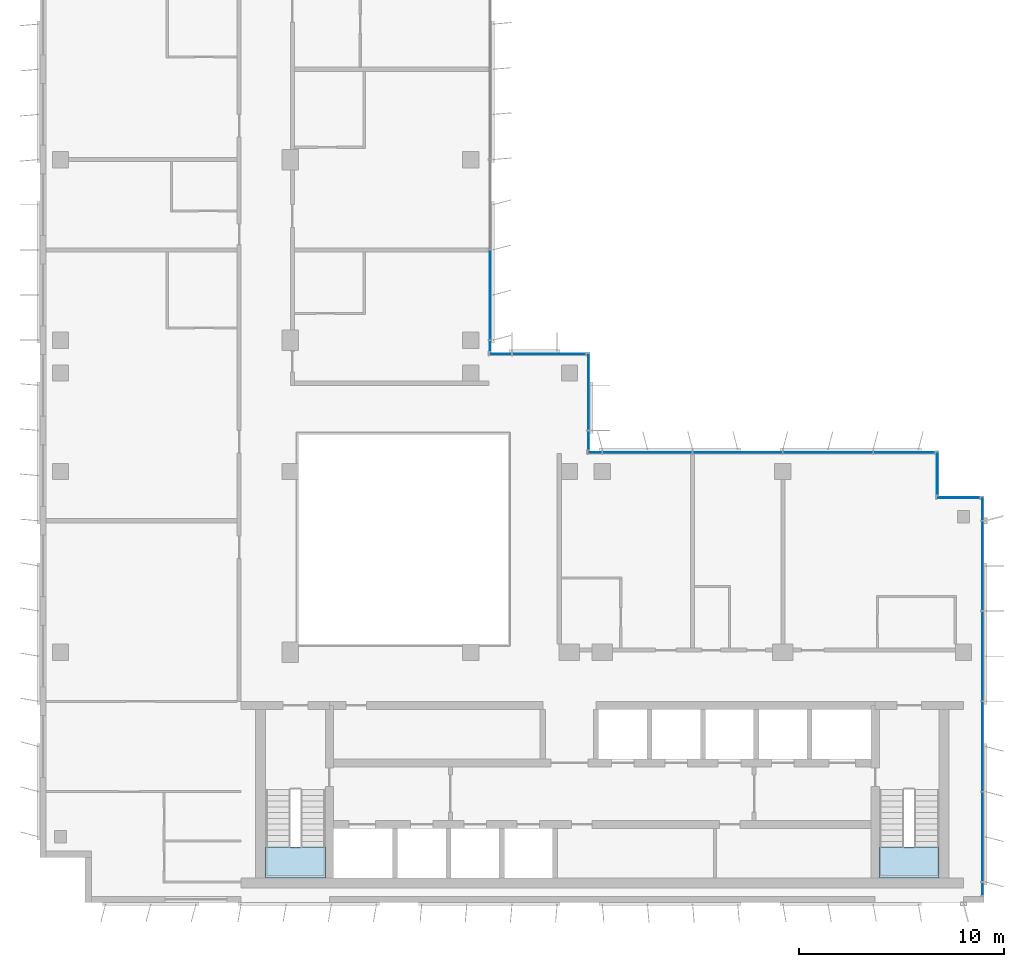
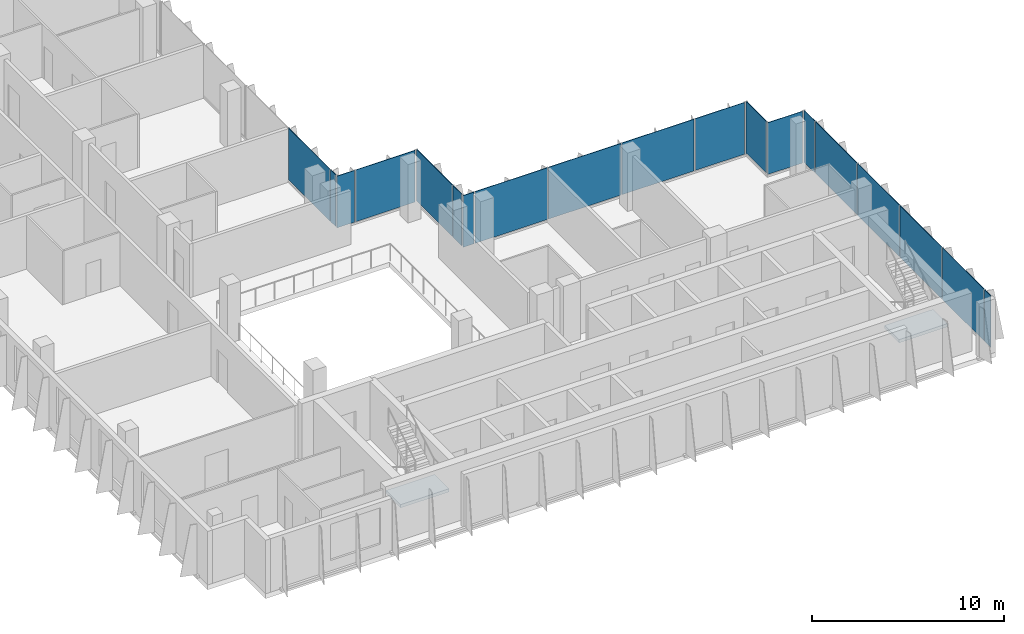
# One storey, part 7 of 15: 19 plates, 2 slabs, 9 elements without a shape of their own.
"""IFC4 building model written with IfcOpenShell, lengths in metres."""

from ifc_helpers import new_model, si_unit, direction, frame, origin, origin_2d, place, context, subcontext, project, spatial, polyline, rectangle, outline, extrude, source, transform, mapped, material, layer, layer_set, type_object, element, aggregate, save


model = new_model("IFC4")

# Units and contexts
model_context = context("Model", 3, precision=1e-05, world=origin(), true_north=direction((0.0, 1.0)))
body_context = subcontext(model_context, "Body", "Model", "MODEL_VIEW")
ifc_project = project(units=[si_unit("LENGTHUNIT", "METRE"), si_unit("AREAUNIT", "SQUARE_METRE"), si_unit("VOLUMEUNIT", "CUBIC_METRE"), si_unit("PLANEANGLEUNIT", "RADIAN"), si_unit("MASSUNIT", "GRAM", prefix="KILO")], contexts=[model_context])

# Site, building, storey
site_placement = place(None, origin())
site = spatial("IfcSite", under=ifc_project, at=site_placement, CompositionType="ELEMENT")
building_placement = place(site_placement, origin())
building = spatial("IfcBuilding", under=site, at=building_placement, Name="Kemantara Hotel Tower", CompositionType="ELEMENT")
storey_placement = place(building_placement, frame((0.0, 0.0, 261.10009765625)))
storey = spatial("IfcBuildingStorey", under=building, at=storey_placement, Name="L65", CompositionType="ELEMENT", Elevation=261.10009765625)

# Stair, slab
ifc_material_1 = material(Name="Concrete fc 40 MPa", Category="concrete")
stair_type = type_object("IfcStairType", Name="Stair 1200 wide 22 risers of 168 x 280 mm", PredefinedType="HALF_TURN_STAIR", material=ifc_material_1)
stair_1_placement = place(storey_placement, origin())
stair_1 = element("IfcStair", 1, at=stair_1_placement, inside=storey, type_object=stair_type, Name="L65 Exit stair ST1", PredefinedType="HALF_TURN_STAIR")
ifc_layer_1 = layer(ifc_material_1, 0.199951171875)
ifc_layer_set_1 = layer_set([ifc_layer_1], Name="Concrete fc 40 MPa")
slab_type = type_object("IfcSlabType", Name="Stair landing 200 mm", PredefinedType="LANDING", material=ifc_layer_set_1)
slab_1_placement = place(storey_placement, frame((0.0, 0.0, 1.64990234375)))
slab_1 = element("IfcSlab", 2, at=slab_1_placement, type_object=slab_type, Name="ST1 landing 1", PredefinedType="LANDING", context=body_context, shape_type="SweptSolid", body=[
    extrude(outline(polyline([(11.0, 2.699951171875), (11.0, 1.199951171875), (13.89990234375, 1.199951171875), (13.89990234375, 2.699951171875), (11.0, 2.699951171875)])), origin(), (0.0, 0.0, 1.0), 0.199951171875),
])
aggregate(stair_1, [slab_1])

stair_2_placement = place(storey_placement, origin())
stair_2 = element("IfcStair", 3, at=stair_2_placement, inside=storey, type_object=stair_type, Name="L65 Exit stair ST2", PredefinedType="HALF_TURN_STAIR")
slab_2_placement = place(storey_placement, frame((0.0, 0.0, 1.64990234375)))
slab_2 = element("IfcSlab", 4, at=slab_2_placement, type_object=slab_type, Name="ST2 landing 1", PredefinedType="LANDING", context=body_context, shape_type="SweptSolid", body=[
    extrude(outline(polyline([(40.89990234375, 2.699951171875), (40.89990234375, 1.199951171875), (43.800048828125, 1.199951171875), (43.800048828125, 2.699951171875), (40.89990234375, 2.699951171875)])), origin(), (0.0, 0.0, 1.0), 0.199951171875),
])
aggregate(stair_2, [slab_2])

# Curtain wall, plates
ifc_material_2 = material(Name="Low-E tinted double insulated glass 36 mm", Category="glass")
curtain_wall_type = type_object("IfcCurtainWallType", Name="TOWER CURTAIN WALL, FRONT FACES", PredefinedType="USERDEFINED", material=ifc_material_2)
curtain_wall_1_placement = place(storey_placement, origin())
curtain_wall_1 = element("IfcCurtainWall", 5, at=curtain_wall_1_placement, inside=storey, type_object=curtain_wall_type, Name="CW4 L65 T4-R09-1", ObjectType="TOWER CURTAIN WALL, FRONT FACES", PredefinedType="USERDEFINED")
ifc_layer_2 = layer(ifc_material_2, 0.035888671875)
ifc_layer_set_2 = layer_set([ifc_layer_2], Name="Low-E tinted double insulated glass 36 mm")
plate_type = type_object("IfcPlateType", Name="TOWER CURTAIN WALL, FRONT FACES PANEL", PredefinedType="CURTAIN_PANEL", material=ifc_layer_set_2)
shared_shape_1 = source(origin(), body_context, "Body", "SweptSolid", [
    extrude(rectangle(XDim=4.340087890625, YDim=0.035888671875, at=origin_2d()), origin(), (0.0, 0.0, 1.0), 3.280029296875),
])
plate_1_placement = place(storey_placement, frame((45.925048828125, 3.199951171875, 0.1201171875), z_axis=(0.0, 0.0, 1.0), x_axis=(0.0, 1.0, 0.0)))
plate_1 = element("IfcPlate", 6, at=plate_1_placement, type_object=plate_type, Name="CW4 glass panel T4-R09-1.2", PredefinedType="CURTAIN_PANEL", context=body_context, shape_type="MappedRepresentation", body=[
    mapped(shared_shape_1, transform((0.0, 0.0, 0.0))),
])
plate_2_placement = place(storey_placement, frame((45.925048828125, 7.60009765625, 0.1201171875), z_axis=(0.0, 0.0, 1.0), x_axis=(0.0, 1.0, 0.0)))
plate_2 = element("IfcPlate", 7, at=plate_2_placement, type_object=plate_type, Name="CW4 glass panel T4-R09-1.3", PredefinedType="CURTAIN_PANEL", context=body_context, shape_type="MappedRepresentation", body=[
    mapped(shared_shape_1, transform((0.0, 0.0, 0.0))),
])
plate_3_placement = place(storey_placement, frame((45.925048828125, 12.0, 0.1201171875), z_axis=(0.0, 0.0, 1.0), x_axis=(0.0, 1.0, 0.0)))
plate_3 = element("IfcPlate", 8, at=plate_3_placement, type_object=plate_type, Name="CW4 glass panel T4-R09-1.4", PredefinedType="CURTAIN_PANEL", context=body_context, shape_type="MappedRepresentation", body=[
    mapped(shared_shape_1, transform((0.0, 0.0, 0.0))),
])
plate_4_placement = place(storey_placement, frame((45.925048828125, 16.39990234375, 0.1201171875), z_axis=(0.0, 0.0, 1.0), x_axis=(0.0, 1.0, 0.0)))
plate_4 = element("IfcPlate", 9, at=plate_4_placement, type_object=plate_type, Name="CW4 glass panel T4-R09-1.5", PredefinedType="CURTAIN_PANEL", context=body_context, shape_type="MappedRepresentation", body=[
    mapped(shared_shape_1, transform((0.0, 0.0, 0.0))),
])

curtain_wall_2_placement = place(storey_placement, origin())
curtain_wall_2 = element("IfcCurtainWall", 10, at=curtain_wall_2_placement, inside=storey, type_object=curtain_wall_type, Name="CW4 L65 T4-R12-1", ObjectType="TOWER CURTAIN WALL, FRONT FACES", PredefinedType="USERDEFINED")
plate_5_placement = place(storey_placement, frame((38.39990234375, 21.925048828125, 0.1201171875), z_axis=(0.0, 0.0, 1.0), x_axis=(-1.0, 0.0, 0.0)))
plate_5 = element("IfcPlate", 11, at=plate_5_placement, type_object=plate_type, Name="CW4 glass panel T4-R12-1.2", PredefinedType="CURTAIN_PANEL", context=body_context, shape_type="MappedRepresentation", body=[
    mapped(shared_shape_1, transform((0.0, 0.0, 0.0))),
])
plate_6_placement = place(storey_placement, frame((34.0, 21.925048828125, 0.1201171875), z_axis=(0.0, 0.0, 1.0), x_axis=(-1.0, 0.0, 0.0)))
plate_6 = element("IfcPlate", 12, at=plate_6_placement, type_object=plate_type, Name="CW4 glass panel T4-R12-1.3", PredefinedType="CURTAIN_PANEL", context=body_context, shape_type="MappedRepresentation", body=[
    mapped(shared_shape_1, transform((0.0, 0.0, 0.0))),
])
plate_7_placement = place(storey_placement, frame((29.60009765625, 21.925048828125, 0.1201171875), z_axis=(0.0, 0.0, 1.0), x_axis=(-1.0, 0.0, 0.0)))
plate_7 = element("IfcPlate", 13, at=plate_7_placement, type_object=plate_type, Name="CW4 glass panel T4-R12-1.4", PredefinedType="CURTAIN_PANEL", context=body_context, shape_type="MappedRepresentation", body=[
    mapped(shared_shape_1, transform((0.0, 0.0, 0.0))),
])

# Curtain wall, plate
curtain_wall_3_placement = place(storey_placement, origin())
curtain_wall_3 = element("IfcCurtainWall", 14, at=curtain_wall_3_placement, inside=storey, type_object=curtain_wall_type, Name="CW4 L65 T4-R15-1", ObjectType="TOWER CURTAIN WALL, FRONT FACES", PredefinedType="USERDEFINED")
plate_8_placement = place(storey_placement, frame((21.925048828125, 29.60009765625, 0.1201171875), z_axis=(0.0, 0.0, 1.0), x_axis=(0.0, 1.0, 0.0)))
plate_8 = element("IfcPlate", 15, at=plate_8_placement, type_object=plate_type, Name="CW4 glass panel T4-R15-1.2", PredefinedType="CURTAIN_PANEL", context=body_context, shape_type="MappedRepresentation", body=[
    mapped(shared_shape_1, transform((0.0, 0.0, 0.0))),
])

curtain_wall_4_placement = place(storey_placement, origin())
curtain_wall_4 = element("IfcCurtainWall", 16, at=curtain_wall_4_placement, inside=storey, type_object=curtain_wall_type, Name="CW4 L65 T4-R10-1", ObjectType="TOWER CURTAIN WALL, FRONT FACES", PredefinedType="USERDEFINED")
shared_shape_2 = source(origin(), body_context, "Body", "SweptSolid", [
    extrude(rectangle(XDim=2.080078125, YDim=0.035888671875, at=origin_2d()), origin(), (0.0, 0.0, 1.0), 3.280029296875),
])
plate_9_placement = place(storey_placement, frame((44.75, 19.72509765625, 0.1201171875), z_axis=(0.0, 0.0, 1.0), x_axis=(-1.0, 0.0, 0.0)))
plate_9 = element("IfcPlate", 17, at=plate_9_placement, type_object=plate_type, Name="CW4 glass panel T4-R10-1.1", PredefinedType="CURTAIN_PANEL", context=body_context, shape_type="MappedRepresentation", body=[
    mapped(shared_shape_2, transform((0.0, 0.0, 0.0))),
])
aggregate(curtain_wall_4, [plate_9])

curtain_wall_5_placement = place(storey_placement, origin())
curtain_wall_5 = element("IfcCurtainWall", 18, at=curtain_wall_5_placement, inside=storey, type_object=curtain_wall_type, Name="CW4 L65 T4-R11-1", ObjectType="TOWER CURTAIN WALL, FRONT FACES", PredefinedType="USERDEFINED")
plate_10_placement = place(storey_placement, frame((43.72509765625, 20.89990234375, 0.1201171875), z_axis=(0.0, 0.0, 1.0), x_axis=(0.0, 1.0, 0.0)))
plate_10 = element("IfcPlate", 19, at=plate_10_placement, type_object=plate_type, Name="CW4 glass panel T4-R11-1.1", PredefinedType="CURTAIN_PANEL", context=body_context, shape_type="MappedRepresentation", body=[
    mapped(shared_shape_2, transform((0.0, 0.0, 0.0))),
])
aggregate(curtain_wall_5, [plate_10])

# Plate
shared_shape_3 = source(origin(), body_context, "Body", "SweptSolid", [
    extrude(rectangle(XDim=2.9599609375, YDim=0.035888671875, at=origin_2d()), origin(), (0.0, 0.0, 1.0), 3.280029296875),
])
plate_11_placement = place(storey_placement, frame((42.110107421875, 21.925048828125, 0.1201171875), z_axis=(0.0, 0.0, 1.0), x_axis=(-1.0, 0.0, 0.0)))
plate_11 = element("IfcPlate", 20, at=plate_11_placement, type_object=plate_type, Name="CW4 glass panel T4-R12-1.1", PredefinedType="CURTAIN_PANEL", context=body_context, shape_type="MappedRepresentation", body=[
    mapped(shared_shape_3, transform((0.0, 0.0, 0.0))),
])

shared_shape_4 = source(origin(), body_context, "Body", "SweptSolid", [
    extrude(rectangle(XDim=0.659912109375, YDim=0.035888671875, at=origin_2d()), origin(), (0.0, 0.0, 1.0), 3.280029296875),
])
plate_12_placement = place(storey_placement, frame((27.0400390625, 21.925048828125, 0.1201171875), z_axis=(0.0, 0.0, 1.0), x_axis=(-1.0, 0.0, 0.0)))
plate_12 = element("IfcPlate", 21, at=plate_12_placement, type_object=plate_type, Name="CW4 glass panel T4-R12-1.5", PredefinedType="CURTAIN_PANEL", context=body_context, shape_type="MappedRepresentation", body=[
    mapped(shared_shape_4, transform((0.0, 0.0, 0.0))),
])

aggregate(curtain_wall_2, [plate_11, plate_5, plate_6, plate_7, plate_12])

shared_shape_5 = source(origin(), body_context, "Body", "SweptSolid", [
    extrude(rectangle(XDim=0.510009765625, YDim=0.035888671875, at=origin_2d()), origin(), (0.0, 0.0, 1.0), 3.280029296875),
])
plate_13_placement = place(storey_placement, frame((21.925048828125, 27.114990234375, 0.1201171875), z_axis=(0.0, 0.0, 1.0), x_axis=(0.0, 1.0, 0.0)))
plate_13 = element("IfcPlate", 22, at=plate_13_placement, type_object=plate_type, Name="CW4 glass panel T4-R15-1.1", PredefinedType="CURTAIN_PANEL", context=body_context, shape_type="MappedRepresentation", body=[
    mapped(shared_shape_5, transform((0.0, 0.0, 0.0))),
])

aggregate(curtain_wall_3, [plate_13, plate_8])

# Curtain wall, plate
curtain_wall_6_placement = place(storey_placement, origin())
curtain_wall_6 = element("IfcCurtainWall", 23, at=curtain_wall_6_placement, inside=storey, type_object=curtain_wall_type, Name="CW4 L65 T4-R13-1", ObjectType="TOWER CURTAIN WALL, FRONT FACES", PredefinedType="USERDEFINED")
shared_shape_6 = source(origin(), body_context, "Body", "SweptSolid", [
    extrude(rectangle(XDim=0.909912109375, YDim=0.035888671875, at=origin_2d()), origin(), (0.0, 0.0, 1.0), 3.280029296875),
])
plate_14_placement = place(storey_placement, frame((26.72509765625, 22.514892578125, 0.1201171875), z_axis=(0.0, 0.0, 1.0), x_axis=(0.0, 1.0, 0.0)))
plate_14 = element("IfcPlate", 24, at=plate_14_placement, type_object=plate_type, Name="CW4 glass panel T4-R13-1.1", PredefinedType="CURTAIN_PANEL", context=body_context, shape_type="MappedRepresentation", body=[
    mapped(shared_shape_6, transform((0.0, 0.0, 0.0))),
])

# Plate
shared_shape_7 = source(origin(), body_context, "Body", "SweptSolid", [
    extrude(rectangle(XDim=1.110107421875, YDim=0.035888671875, at=origin_2d()), origin(), (0.0, 0.0, 1.0), 3.280029296875),
])
plate_15_placement = place(storey_placement, frame((45.925048828125, 19.18505859375, 0.1201171875), z_axis=(0.0, 0.0, 1.0), x_axis=(0.0, 1.0, 0.0)))
plate_15 = element("IfcPlate", 25, at=plate_15_placement, type_object=plate_type, Name="CW4 glass panel T4-R09-1.6", PredefinedType="CURTAIN_PANEL", context=body_context, shape_type="MappedRepresentation", body=[
    mapped(shared_shape_7, transform((0.0, 0.0, 0.0))),
])

shared_shape_8 = source(origin(), body_context, "Body", "SweptSolid", [
    extrude(rectangle(XDim=3.7099609375, YDim=0.035888671875, at=origin_2d()), origin(), (0.0, 0.0, 1.0), 3.280029296875),
])
plate_16_placement = place(storey_placement, frame((26.72509765625, 24.885009765625, 0.1201171875), z_axis=(0.0, 0.0, 1.0), x_axis=(0.0, 1.0, 0.0)))
plate_16 = element("IfcPlate", 26, at=plate_16_placement, type_object=plate_type, Name="CW4 glass panel T4-R13-1.2", PredefinedType="CURTAIN_PANEL", context=body_context, shape_type="MappedRepresentation", body=[
    mapped(shared_shape_8, transform((0.0, 0.0, 0.0))),
])

aggregate(curtain_wall_6, [plate_14, plate_16])

# Curtain wall, plates
curtain_wall_7_placement = place(storey_placement, origin())
curtain_wall_7 = element("IfcCurtainWall", 27, at=curtain_wall_7_placement, inside=storey, type_object=curtain_wall_type, Name="CW4 L65 T4-R14-1", ObjectType="TOWER CURTAIN WALL, FRONT FACES", PredefinedType="USERDEFINED")
shared_shape_9 = source(origin(), body_context, "Body", "SweptSolid", [
    extrude(rectangle(XDim=3.56005859375, YDim=0.035888671875, at=origin_2d()), origin(), (0.0, 0.0, 1.0), 3.280029296875),
])
plate_17_placement = place(storey_placement, frame((24.81005859375, 26.72509765625, 0.1201171875), z_axis=(0.0, 0.0, 1.0), x_axis=(-1.0, 0.0, 0.0)))
plate_17 = element("IfcPlate", 28, at=plate_17_placement, type_object=plate_type, Name="CW4 glass panel T4-R14-1.1", PredefinedType="CURTAIN_PANEL", context=body_context, shape_type="MappedRepresentation", body=[
    mapped(shared_shape_9, transform((0.0, 0.0, 0.0))),
])
shared_shape_10 = source(origin(), body_context, "Body", "SweptSolid", [
    extrude(rectangle(XDim=1.06005859375, YDim=0.035888671875, at=origin_2d()), origin(), (0.0, 0.0, 1.0), 3.280029296875),
])
plate_18_placement = place(storey_placement, frame((22.43994140625, 26.72509765625, 0.1201171875), z_axis=(0.0, 0.0, 1.0), x_axis=(-1.0, 0.0, 0.0)))
plate_18 = element("IfcPlate", 29, at=plate_18_placement, type_object=plate_type, Name="CW4 glass panel T4-R14-1.2", PredefinedType="CURTAIN_PANEL", context=body_context, shape_type="MappedRepresentation", body=[
    mapped(shared_shape_10, transform((0.0, 0.0, 0.0))),
])
aggregate(curtain_wall_7, [plate_17, plate_18])

# Plate
shared_shape_11 = source(origin(), body_context, "Body", "SweptSolid", [
    extrude(rectangle(XDim=0.610107421875, YDim=0.035888671875, at=origin_2d()), origin(), (0.0, 0.0, 1.0), 3.280029296875),
])
plate_19_placement = place(storey_placement, frame((45.925048828125, 0.6650390625, 0.1201171875), z_axis=(0.0, 0.0, 1.0), x_axis=(0.0, 1.0, 0.0)))
plate_19 = element("IfcPlate", 30, at=plate_19_placement, type_object=plate_type, Name="CW4 glass panel T4-R09-1.1", PredefinedType="CURTAIN_PANEL", context=body_context, shape_type="MappedRepresentation", body=[
    mapped(shared_shape_11, transform((0.0, 0.0, 0.0))),
])

aggregate(curtain_wall_1, [plate_19, plate_1, plate_2, plate_3, plate_4, plate_15])

save(model, "model.ifc")
